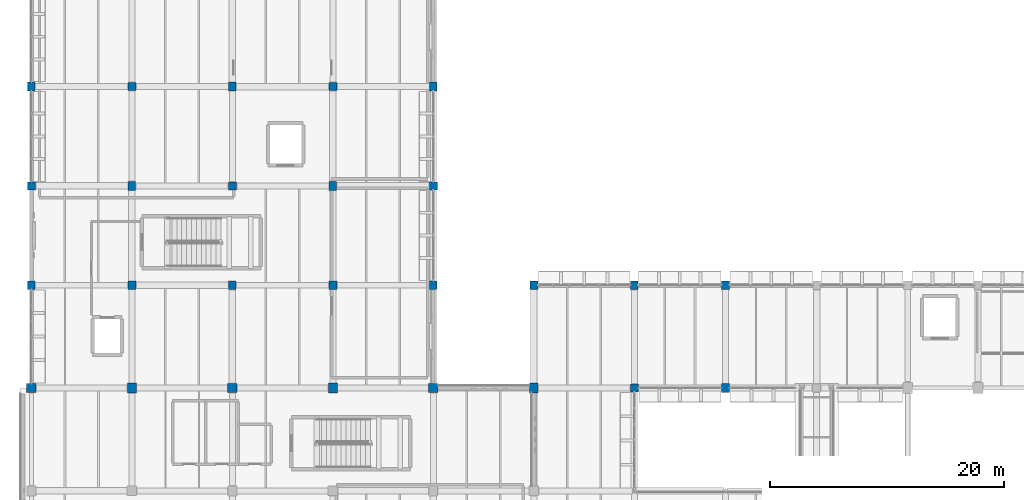
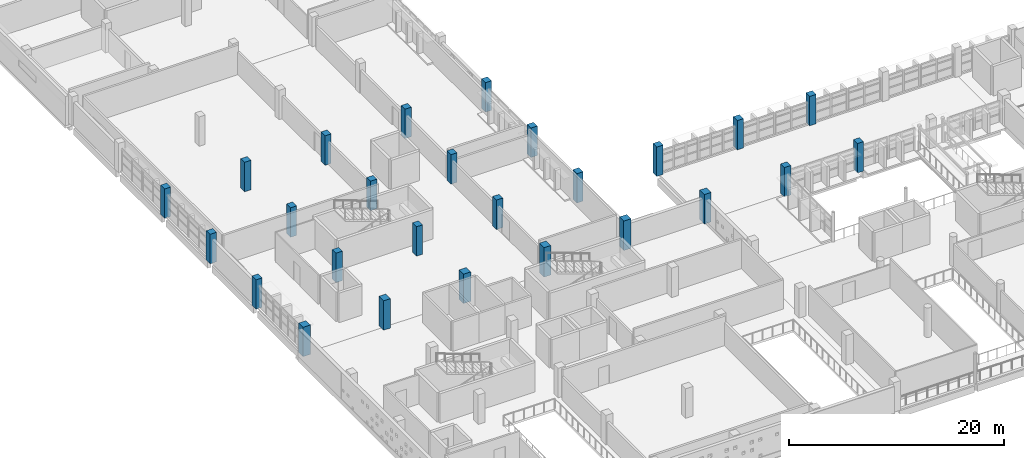
# One storey, part 4 of 75: 26 columns.
"""IFC4 building model written with IfcOpenShell, lengths in metres."""

from ifc_helpers import new_model, si_unit, direction, frame, origin, origin_2d, place, context, subcontext, project, spatial, rectangle, extrude, material, material_profile, profile_set, type_object, element, save


model = new_model("IFC4")

# Units and contexts
model_context = context("Model", 3, precision=1e-05, world=origin(), true_north=direction((0.0, 1.0)))
body_context = subcontext(model_context, "Body", "Model", "MODEL_VIEW")
ifc_project = project(units=[si_unit("LENGTHUNIT", "METRE"), si_unit("AREAUNIT", "SQUARE_METRE"), si_unit("VOLUMEUNIT", "CUBIC_METRE"), si_unit("PLANEANGLEUNIT", "RADIAN"), si_unit("MASSUNIT", "GRAM", prefix="KILO")], contexts=[model_context])

# Site, building, storey
site_placement = place(None, origin())
site = spatial("IfcSite", under=ifc_project, at=site_placement, CompositionType="ELEMENT")
building_placement = place(site_placement, origin())
building = spatial("IfcBuilding", under=site, at=building_placement, Name="Varnakota Cinema and Media Centre", CompositionType="ELEMENT")
storey_placement = place(building_placement, frame((0.0, 0.0, 8.39990234375)))
storey = spatial("IfcBuildingStorey", under=building, at=storey_placement, Name="L02", CompositionType="ELEMENT", Elevation=8.39990234375)

# Columns
ifc_material_1 = material(Name="Concrete M40", Category="concrete")
ifc_material_profile_1 = material_profile(ifc_material_1, rectangle(XDim=0.64990234375, YDim=0.75, at=origin_2d()), Name="RC 650x750")
ifc_profile_set_1 = profile_set([ifc_material_profile_1], Name="Concrete M40")
column_type_1 = type_object("IfcColumnType", Name="COL-RC-650x750", PredefinedType="COLUMN", material=ifc_profile_set_1)
for number, where, z_axis, x_axis, name in (
    (1, (0.0, 44.0, 0.0), (0.0, 0.0, 1.0), (1.0, 0.0, 0.0), "L02 column A/6"),
    (2, (0.0, 61.0, 0.0), (0.0, 0.0, 1.0), (1.0, 0.0, 0.0), "L02 column A/8"),
    (3, (8.60009765625, 52.5, 0.0), (0.0, 0.0, 1.0), (1.0, 0.0, 0.0), "L02 column B/7"),
    (4, (17.199951171875, 44.0, 0.0), (0.0, 0.0, 1.0), (1.0, 0.0, 0.0), "L02 column C/6"),
    (5, (17.199951171875, 61.0, 0.0), (0.0, 0.0, 1.0), (1.0, 0.0, 0.0), "L02 column C/8"),
    (6, (25.800048828125, 52.5, 0.0), (0.0, 0.0, 1.0), (1.0, 0.0, 0.0), "L02 column D/7"),
    (7, (34.39990234375, 44.0, 0.0), (0.0, 0.0, 1.0), (1.0, 0.0, 0.0), "L02 column E/6"),
    (8, (34.39990234375, 61.0, 0.0), (0.0, 0.0, 1.0), (1.0, 0.0, 0.0), "L02 column E/8"),
    (9, (51.60009765625, 44.0, 0.0), (0.0, 0.0, 1.0), (1.0, 0.0, 0.0), "L02 column G/6"),
    (10, (59.39990234375, 35.199951171875, 0.0), (0.0, 0.0, 1.0), (1.0, 0.0, 0.0), "L02 column H/5"),
):
    element("IfcColumn", number, at=place(storey_placement, frame(where, z_axis=z_axis, x_axis=x_axis)), inside=storey, type_object=column_type_1, Name=name, PredefinedType="COLUMN", context=body_context, shape_type="SweptSolid", body=[
        extrude(rectangle(XDim=0.64990234375, YDim=0.75, at=origin_2d()), origin(), (0.0, 0.0, 1.0), 3.340087890625),
    ])
ifc_material_2 = material(Name="Concrete M40", Category="concrete")
ifc_material_profile_2 = material_profile(ifc_material_2, rectangle(XDim=0.699951171875, YDim=0.699951171875, at=origin_2d()), Name="RC 700x700")
ifc_profile_set_2 = profile_set([ifc_material_profile_2], Name="Concrete M40")
column_type_2 = type_object("IfcColumnType", Name="COL-RC-700x700", PredefinedType="COLUMN", material=ifc_profile_set_2)
for number, where, z_axis, x_axis, name in (
    (11, (0.0, 52.5, 0.0), (0.0, 0.0, 1.0), (1.0, 0.0, 0.0), "L02 column A/7"),
    (12, (8.60009765625, 44.0, 0.0), (0.0, 0.0, 1.0), (1.0, 0.0, 0.0), "L02 column B/6"),
    (13, (8.60009765625, 61.0, 0.0), (0.0, 0.0, 1.0), (1.0, 0.0, 0.0), "L02 column B/8"),
    (14, (17.199951171875, 52.5, 0.0), (0.0, 0.0, 1.0), (1.0, 0.0, 0.0), "L02 column C/7"),
    (15, (25.800048828125, 44.0, 0.0), (0.0, 0.0, 1.0), (1.0, 0.0, 0.0), "L02 column D/6"),
    (16, (25.800048828125, 61.0, 0.0), (0.0, 0.0, 1.0), (1.0, 0.0, 0.0), "L02 column D/8"),
    (17, (34.39990234375, 52.5, 0.0), (0.0, 0.0, 1.0), (1.0, 0.0, 0.0), "L02 column E/7"),
    (18, (43.0, 44.0, 0.0), (0.0, 0.0, 1.0), (1.0, 0.0, 0.0), "L02 column F/6"),
    (19, (51.60009765625, 35.199951171875, 0.0), (0.0, 0.0, 1.0), (1.0, 0.0, 0.0), "L02 column G/5"),
    (20, (59.39990234375, 44.0, 0.0), (0.0, 0.0, 1.0), (1.0, 0.0, 0.0), "L02 column H/6"),
):
    element("IfcColumn", number, at=place(storey_placement, frame(where, z_axis=z_axis, x_axis=x_axis)), inside=storey, type_object=column_type_2, Name=name, PredefinedType="COLUMN", context=body_context, shape_type="SweptSolid", body=[
        extrude(rectangle(XDim=0.699951171875, YDim=0.699951171875, at=origin_2d()), origin(), (0.0, 0.0, 1.0), 3.340087890625),
    ])
ifc_material_3 = material(Name="Concrete M40", Category="concrete")
ifc_material_profile_3 = material_profile(ifc_material_3, rectangle(XDim=0.75, YDim=0.85009765625, at=origin_2d()), Name="RC 750x850")
ifc_profile_set_3 = profile_set([ifc_material_profile_3], Name="Concrete M40")
column_type_3 = type_object("IfcColumnType", Name="COL-RC-750x850", PredefinedType="COLUMN", material=ifc_profile_set_3)
for number, where, z_axis, x_axis, name in (
    (21, (8.60009765625, 35.199951171875, 0.0), (0.0, 0.0, 1.0), (1.0, 0.0, 0.0), "L02 column B/5"),
    (22, (25.800048828125, 35.199951171875, 0.0), (0.0, 0.0, 1.0), (1.0, 0.0, 0.0), "L02 column D/5"),
    (23, (43.0, 35.199951171875, 0.0), (0.0, 0.0, 1.0), (1.0, 0.0, 0.0), "L02 column F/5"),
):
    element("IfcColumn", number, at=place(storey_placement, frame(where, z_axis=z_axis, x_axis=x_axis)), inside=storey, type_object=column_type_3, Name=name, PredefinedType="COLUMN", context=body_context, shape_type="SweptSolid", body=[
        extrude(rectangle(XDim=0.75, YDim=0.85009765625, at=origin_2d()), origin(), (0.0, 0.0, 1.0), 3.340087890625),
    ])
ifc_material_4 = material(Name="Concrete M40", Category="concrete")
ifc_material_profile_4 = material_profile(ifc_material_4, rectangle(XDim=0.800048828125, YDim=0.800048828125, at=origin_2d()), Name="RC 800x800")
ifc_profile_set_4 = profile_set([ifc_material_profile_4], Name="Concrete M40")
column_type_4 = type_object("IfcColumnType", Name="COL-RC-800x800", PredefinedType="COLUMN", material=ifc_profile_set_4)
for number, where, z_axis, x_axis, name in (
    (24, (0.0, 35.199951171875, 0.0), (0.0, 0.0, 1.0), (1.0, 0.0, 0.0), "L02 column A/5"),
    (25, (17.199951171875, 35.199951171875, 0.0), (0.0, 0.0, 1.0), (1.0, 0.0, 0.0), "L02 column C/5"),
    (26, (34.39990234375, 35.199951171875, 0.0), (0.0, 0.0, 1.0), (1.0, 0.0, 0.0), "L02 column E/5"),
):
    element("IfcColumn", number, at=place(storey_placement, frame(where, z_axis=z_axis, x_axis=x_axis)), inside=storey, type_object=column_type_4, Name=name, PredefinedType="COLUMN", context=body_context, shape_type="SweptSolid", body=[
        extrude(rectangle(XDim=0.800048828125, YDim=0.800048828125, at=origin_2d()), origin(), (0.0, 0.0, 1.0), 3.340087890625),
    ])

save(model, "model.ifc")
